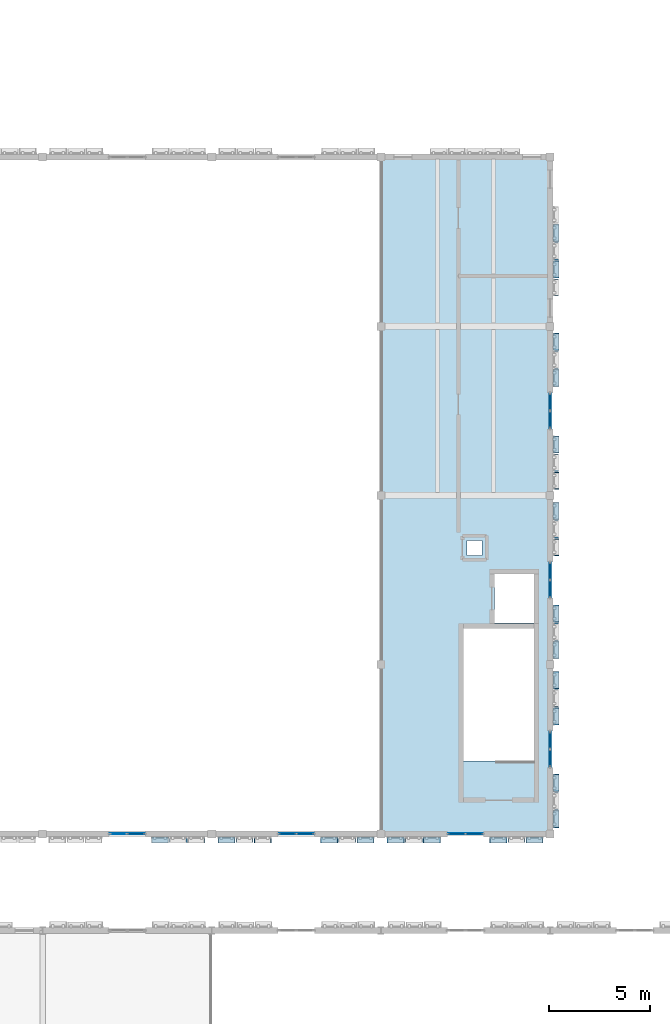
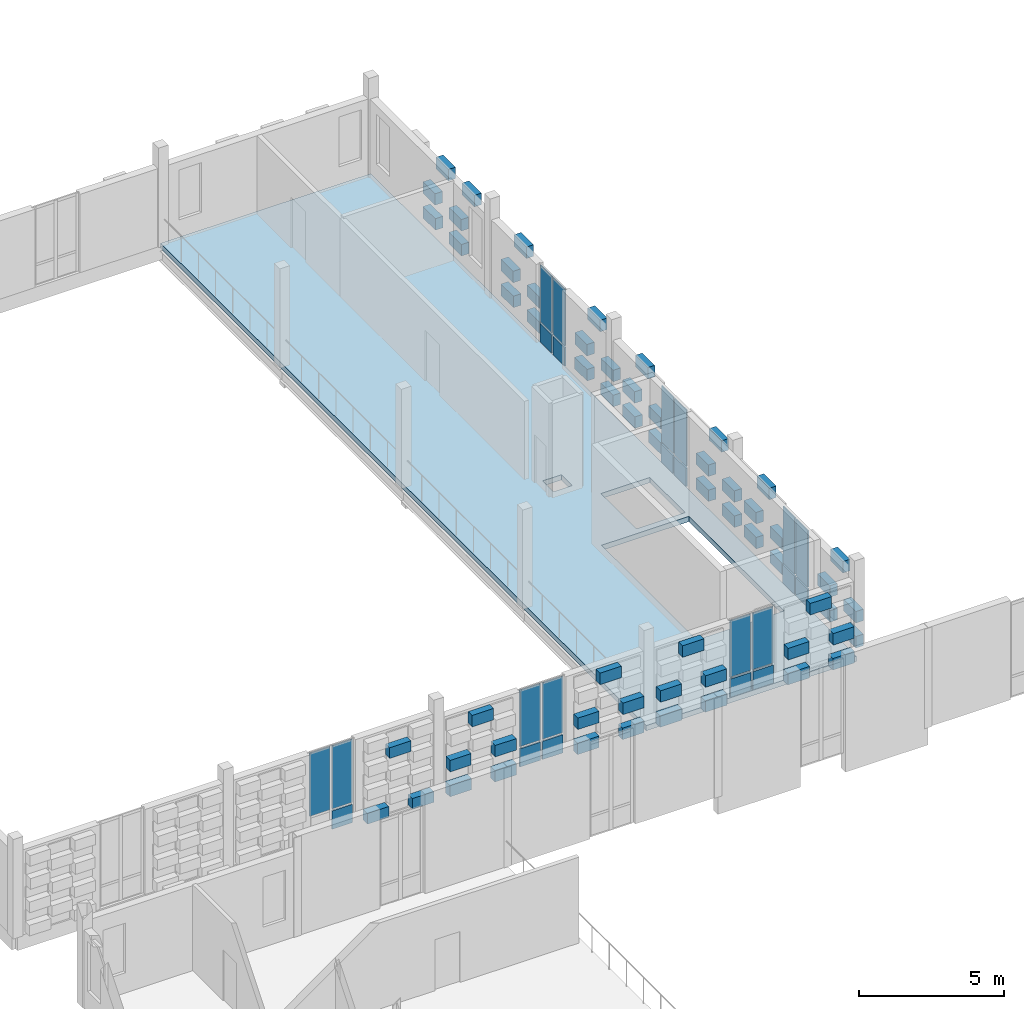
# One storey, part 34 of 81: 82 plates, 1 slab, 6 elements without a shape of their own.
"""IFC4 building model written with IfcOpenShell, lengths in metres."""

from ifc_helpers import new_model, si_unit, direction, frame, origin, origin_2d, place, context, subcontext, project, spatial, polyline, rectangle, outline, extrude, material, layer, layer_set, type_object, element, aggregate, save


model = new_model("IFC4")

# Units and contexts
model_context = context("Model", 3, precision=1e-05, world=origin(), true_north=direction((0.0, 1.0)))
body_context = subcontext(model_context, "Body", "Model", "MODEL_VIEW")
ifc_project = project(units=[si_unit("LENGTHUNIT", "METRE"), si_unit("AREAUNIT", "SQUARE_METRE"), si_unit("VOLUMEUNIT", "CUBIC_METRE"), si_unit("PLANEANGLEUNIT", "RADIAN"), si_unit("MASSUNIT", "GRAM", prefix="KILO")], contexts=[model_context])

# Site, building, storey
site_placement = place(None, origin())
site = spatial("IfcSite", under=ifc_project, at=site_placement, CompositionType="ELEMENT")
building_placement = place(site_placement, origin())
building = spatial("IfcBuilding", under=site, at=building_placement, Name="Kahlenmark Community Centre", CompositionType="ELEMENT")
storey_placement = place(building_placement, frame((0.0, 0.0, 9.60009765625)))
storey = spatial("IfcBuildingStorey", under=building, at=storey_placement, Name="L02", CompositionType="ELEMENT", Elevation=9.60009765625)

# Curtain wall, plates
ifc_material_1 = material(Name="Anodised aluminium unitised curtain wall", Category="aluminium")
curtain_wall_type_1 = type_object("IfcCurtainWallType", Name="CWT-UNIT-180X331", PredefinedType="USERDEFINED", material=ifc_material_1)
curtain_wall_1_placement = place(storey_placement, origin())
curtain_wall_1 = element("IfcCurtainWall", 1, at=curtain_wall_1_placement, inside=storey, type_object=curtain_wall_type_1, Name="Unitised curtain wall CW-072", ObjectType="UNITISED CURTAIN WALL", PredefinedType="USERDEFINED")
ifc_material_2 = material(Name="Triple low-e solar-control glass unit", Category="glass")
ifc_layer_1 = layer(ifc_material_2, 0.0439453125)
ifc_layer_set_1 = layer_set([ifc_layer_1], Name="Triple low-e solar-control glass unit")
plate_type_1 = type_object("IfcPlateType", Name="PLT-CW-GLZ-820X2380", PredefinedType="CURTAIN_PANEL", material=ifc_layer_set_1)
plate_1_placement = place(storey_placement, frame((24.550048828125, 42.39990234375, 0.889892578125), z_axis=(0.0, 0.0, 1.0), x_axis=(1.0, 0.0, 0.0)))
plate_1 = element("IfcPlate", 2, at=plate_1_placement, type_object=plate_type_1, Name="CW-072 glazed panel 1", PredefinedType="CURTAIN_PANEL", context=body_context, shape_type="SweptSolid", body=[
    extrude(rectangle(XDim=0.820068359375, YDim=0.0439453125, at=origin_2d()), origin(), (0.0, 0.0, 1.0), 2.3798828125),
])
plate_2_placement = place(storey_placement, frame((25.449951171875, 42.39990234375, 0.889892578125), z_axis=(0.0, 0.0, 1.0), x_axis=(1.0, 0.0, 0.0)))
plate_2 = element("IfcPlate", 3, at=plate_2_placement, type_object=plate_type_1, Name="CW-072 glazed panel 2", PredefinedType="CURTAIN_PANEL", context=body_context, shape_type="SweptSolid", body=[
    extrude(rectangle(XDim=0.820068359375, YDim=0.0439453125, at=origin_2d()), origin(), (0.0, 0.0, 1.0), 2.3798828125),
])

curtain_wall_2_placement = place(storey_placement, origin())
curtain_wall_2 = element("IfcCurtainWall", 4, at=curtain_wall_2_placement, inside=storey, type_object=curtain_wall_type_1, Name="Unitised curtain wall CW-073", ObjectType="UNITISED CURTAIN WALL", PredefinedType="USERDEFINED")
plate_3_placement = place(storey_placement, frame((32.949951171875, 42.39990234375, 0.889892578125), z_axis=(0.0, 0.0, 1.0), x_axis=(1.0, 0.0, 0.0)))
plate_3 = element("IfcPlate", 5, at=plate_3_placement, type_object=plate_type_1, Name="CW-073 glazed panel 1", PredefinedType="CURTAIN_PANEL", context=body_context, shape_type="SweptSolid", body=[
    extrude(rectangle(XDim=0.820068359375, YDim=0.0439453125, at=origin_2d()), origin(), (0.0, 0.0, 1.0), 2.3798828125),
])
plate_4_placement = place(storey_placement, frame((33.85009765625, 42.39990234375, 0.889892578125), z_axis=(0.0, 0.0, 1.0), x_axis=(1.0, 0.0, 0.0)))
plate_4 = element("IfcPlate", 6, at=plate_4_placement, type_object=plate_type_1, Name="CW-073 glazed panel 2", PredefinedType="CURTAIN_PANEL", context=body_context, shape_type="SweptSolid", body=[
    extrude(rectangle(XDim=0.820068359375, YDim=0.0439453125, at=origin_2d()), origin(), (0.0, 0.0, 1.0), 2.3798828125),
])

curtain_wall_3_placement = place(storey_placement, origin())
curtain_wall_3 = element("IfcCurtainWall", 7, at=curtain_wall_3_placement, inside=storey, type_object=curtain_wall_type_1, Name="Unitised curtain wall CW-077", ObjectType="UNITISED CURTAIN WALL", PredefinedType="USERDEFINED")
plate_5_placement = place(storey_placement, frame((37.60009765625, 46.14990234375, 0.889892578125), z_axis=(0.0, 0.0, 1.0), x_axis=(0.0, 1.0, 0.0)))
plate_5 = element("IfcPlate", 8, at=plate_5_placement, type_object=plate_type_1, Name="CW-077 glazed panel 1", PredefinedType="CURTAIN_PANEL", context=body_context, shape_type="SweptSolid", body=[
    extrude(rectangle(XDim=0.820068359375, YDim=0.0439453125, at=origin_2d()), origin(), (0.0, 0.0, 1.0), 2.3798828125),
])
plate_6_placement = place(storey_placement, frame((37.60009765625, 47.050048828125, 0.889892578125), z_axis=(0.0, 0.0, 1.0), x_axis=(0.0, 1.0, 0.0)))
plate_6 = element("IfcPlate", 9, at=plate_6_placement, type_object=plate_type_1, Name="CW-077 glazed panel 2", PredefinedType="CURTAIN_PANEL", context=body_context, shape_type="SweptSolid", body=[
    extrude(rectangle(XDim=0.820068359375, YDim=0.0439453125, at=origin_2d()), origin(), (0.0, 0.0, 1.0), 2.3798828125),
])

curtain_wall_4_placement = place(storey_placement, origin())
curtain_wall_4 = element("IfcCurtainWall", 10, at=curtain_wall_4_placement, inside=storey, type_object=curtain_wall_type_1, Name="Unitised curtain wall CW-078", ObjectType="UNITISED CURTAIN WALL", PredefinedType="USERDEFINED")
plate_7_placement = place(storey_placement, frame((37.60009765625, 54.550048828125, 0.889892578125), z_axis=(0.0, 0.0, 1.0), x_axis=(0.0, 1.0, 0.0)))
plate_7 = element("IfcPlate", 11, at=plate_7_placement, type_object=plate_type_1, Name="CW-078 glazed panel 1", PredefinedType="CURTAIN_PANEL", context=body_context, shape_type="SweptSolid", body=[
    extrude(rectangle(XDim=0.820068359375, YDim=0.0439453125, at=origin_2d()), origin(), (0.0, 0.0, 1.0), 2.3798828125),
])
plate_8_placement = place(storey_placement, frame((37.60009765625, 55.449951171875, 0.889892578125), z_axis=(0.0, 0.0, 1.0), x_axis=(0.0, 1.0, 0.0)))
plate_8 = element("IfcPlate", 12, at=plate_8_placement, type_object=plate_type_1, Name="CW-078 glazed panel 2", PredefinedType="CURTAIN_PANEL", context=body_context, shape_type="SweptSolid", body=[
    extrude(rectangle(XDim=0.820068359375, YDim=0.0439453125, at=origin_2d()), origin(), (0.0, 0.0, 1.0), 2.3798828125),
])

curtain_wall_5_placement = place(storey_placement, origin())
curtain_wall_5 = element("IfcCurtainWall", 13, at=curtain_wall_5_placement, inside=storey, type_object=curtain_wall_type_1, Name="Unitised curtain wall CW-079", ObjectType="UNITISED CURTAIN WALL", PredefinedType="USERDEFINED")
plate_9_placement = place(storey_placement, frame((37.60009765625, 62.949951171875, 0.889892578125), z_axis=(0.0, 0.0, 1.0), x_axis=(0.0, 1.0, 0.0)))
plate_9 = element("IfcPlate", 14, at=plate_9_placement, type_object=plate_type_1, Name="CW-079 glazed panel 1", PredefinedType="CURTAIN_PANEL", context=body_context, shape_type="SweptSolid", body=[
    extrude(rectangle(XDim=0.820068359375, YDim=0.0439453125, at=origin_2d()), origin(), (0.0, 0.0, 1.0), 2.3798828125),
])
plate_10_placement = place(storey_placement, frame((37.60009765625, 63.85009765625, 0.889892578125), z_axis=(0.0, 0.0, 1.0), x_axis=(0.0, 1.0, 0.0)))
plate_10 = element("IfcPlate", 15, at=plate_10_placement, type_object=plate_type_1, Name="CW-079 glazed panel 2", PredefinedType="CURTAIN_PANEL", context=body_context, shape_type="SweptSolid", body=[
    extrude(rectangle(XDim=0.820068359375, YDim=0.0439453125, at=origin_2d()), origin(), (0.0, 0.0, 1.0), 2.3798828125),
])

curtain_wall_type_2 = type_object("IfcCurtainWallType", Name="CWT-UNIT-180X359", PredefinedType="USERDEFINED", material=ifc_material_1)
curtain_wall_6_placement = place(storey_placement, origin())
curtain_wall_6 = element("IfcCurtainWall", 16, at=curtain_wall_6_placement, inside=storey, type_object=curtain_wall_type_2, Name="Unitised curtain wall CW-071", ObjectType="UNITISED CURTAIN WALL", PredefinedType="USERDEFINED")
ifc_layer_2 = layer(ifc_material_2, 0.0439453125)
ifc_layer_set_2 = layer_set([ifc_layer_2], Name="Triple low-e solar-control glass unit")
plate_type_2 = type_object("IfcPlateType", Name="PLT-CW-GLZ-820X2660", PredefinedType="CURTAIN_PANEL", material=ifc_layer_set_2)
plate_11_placement = place(storey_placement, frame((16.14990234375, 42.39990234375, 0.89013671875), z_axis=(0.0, 0.0, 1.0), x_axis=(1.0, 0.0, 0.0)))
plate_11 = element("IfcPlate", 17, at=plate_11_placement, type_object=plate_type_2, Name="CW-071 glazed panel 1", PredefinedType="CURTAIN_PANEL", context=body_context, shape_type="SweptSolid", body=[
    extrude(rectangle(XDim=0.820068359375, YDim=0.0439453125, at=origin_2d()), origin(), (0.0, 0.0, 1.0), 2.659912109375),
])
plate_12_placement = place(storey_placement, frame((17.050048828125, 42.39990234375, 0.89013671875), z_axis=(0.0, 0.0, 1.0), x_axis=(1.0, 0.0, 0.0)))
plate_12 = element("IfcPlate", 18, at=plate_12_placement, type_object=plate_type_2, Name="CW-071 glazed panel 2", PredefinedType="CURTAIN_PANEL", context=body_context, shape_type="SweptSolid", body=[
    extrude(rectangle(XDim=0.820068359375, YDim=0.0439453125, at=origin_2d()), origin(), (0.0, 0.0, 1.0), 2.659912109375),
])
ifc_material_3 = material(Name="Warm terracotta insulated spandrel cassette", Category="masonry")
ifc_layer_3 = layer(ifc_material_3, 0.06005859375)
ifc_layer_set_3 = layer_set([ifc_layer_3], Name="Warm terracotta insulated spandrel cassette")
plate_type_3 = type_object("IfcPlateType", Name="PLT-CW-SPD-820X770", PredefinedType="CURTAIN_PANEL", material=ifc_layer_set_3)
plate_13_placement = place(storey_placement, frame((17.050048828125, 42.39990234375, 0.039794921875), z_axis=(0.0, 0.0, 1.0), x_axis=(1.0, 0.0, 0.0)))
plate_13 = element("IfcPlate", 19, at=plate_13_placement, type_object=plate_type_3, Name="CW-071 spandrel 2", PredefinedType="CURTAIN_PANEL", context=body_context, shape_type="SweptSolid", body=[
    extrude(rectangle(XDim=0.820068359375, YDim=0.06005859375, at=origin_2d()), origin(), (0.0, 0.0, 1.0), 0.77001953125),
])
aggregate(curtain_wall_6, [plate_11, plate_13, plate_12])

# Plate
plate_14_placement = place(storey_placement, frame((24.550048828125, 42.39990234375, 0.039794921875), z_axis=(0.0, 0.0, 1.0), x_axis=(1.0, 0.0, 0.0)))
plate_14 = element("IfcPlate", 20, at=plate_14_placement, type_object=plate_type_3, Name="CW-072 spandrel 1", PredefinedType="CURTAIN_PANEL", context=body_context, shape_type="SweptSolid", body=[
    extrude(rectangle(XDim=0.820068359375, YDim=0.06005859375, at=origin_2d()), origin(), (0.0, 0.0, 1.0), 0.77001953125),
])

plate_15_placement = place(storey_placement, frame((25.449951171875, 42.39990234375, 0.039794921875), z_axis=(0.0, 0.0, 1.0), x_axis=(1.0, 0.0, 0.0)))
plate_15 = element("IfcPlate", 21, at=plate_15_placement, type_object=plate_type_3, Name="CW-072 spandrel 2", PredefinedType="CURTAIN_PANEL", context=body_context, shape_type="SweptSolid", body=[
    extrude(rectangle(XDim=0.820068359375, YDim=0.06005859375, at=origin_2d()), origin(), (0.0, 0.0, 1.0), 0.77001953125),
])

aggregate(curtain_wall_1, [plate_14, plate_1, plate_15, plate_2])

plate_16_placement = place(storey_placement, frame((32.949951171875, 42.39990234375, 0.039794921875), z_axis=(0.0, 0.0, 1.0), x_axis=(1.0, 0.0, 0.0)))
plate_16 = element("IfcPlate", 22, at=plate_16_placement, type_object=plate_type_3, Name="CW-073 spandrel 1", PredefinedType="CURTAIN_PANEL", context=body_context, shape_type="SweptSolid", body=[
    extrude(rectangle(XDim=0.820068359375, YDim=0.06005859375, at=origin_2d()), origin(), (0.0, 0.0, 1.0), 0.77001953125),
])

plate_17_placement = place(storey_placement, frame((33.85009765625, 42.39990234375, 0.039794921875), z_axis=(0.0, 0.0, 1.0), x_axis=(1.0, 0.0, 0.0)))
plate_17 = element("IfcPlate", 23, at=plate_17_placement, type_object=plate_type_3, Name="CW-073 spandrel 2", PredefinedType="CURTAIN_PANEL", context=body_context, shape_type="SweptSolid", body=[
    extrude(rectangle(XDim=0.820068359375, YDim=0.06005859375, at=origin_2d()), origin(), (0.0, 0.0, 1.0), 0.77001953125),
])

aggregate(curtain_wall_2, [plate_16, plate_3, plate_17, plate_4])

plate_18_placement = place(storey_placement, frame((37.60009765625, 46.14990234375, 0.039794921875), z_axis=(0.0, 0.0, 1.0), x_axis=(0.0, 1.0, 0.0)))
plate_18 = element("IfcPlate", 24, at=plate_18_placement, type_object=plate_type_3, Name="CW-077 spandrel 1", PredefinedType="CURTAIN_PANEL", context=body_context, shape_type="SweptSolid", body=[
    extrude(rectangle(XDim=0.820068359375, YDim=0.06005859375, at=origin_2d()), origin(), (0.0, 0.0, 1.0), 0.77001953125),
])

plate_19_placement = place(storey_placement, frame((37.60009765625, 47.050048828125, 0.039794921875), z_axis=(0.0, 0.0, 1.0), x_axis=(0.0, 1.0, 0.0)))
plate_19 = element("IfcPlate", 25, at=plate_19_placement, type_object=plate_type_3, Name="CW-077 spandrel 2", PredefinedType="CURTAIN_PANEL", context=body_context, shape_type="SweptSolid", body=[
    extrude(rectangle(XDim=0.820068359375, YDim=0.06005859375, at=origin_2d()), origin(), (0.0, 0.0, 1.0), 0.77001953125),
])

aggregate(curtain_wall_3, [plate_18, plate_5, plate_19, plate_6])

plate_20_placement = place(storey_placement, frame((37.60009765625, 54.550048828125, 0.039794921875), z_axis=(0.0, 0.0, 1.0), x_axis=(0.0, 1.0, 0.0)))
plate_20 = element("IfcPlate", 26, at=plate_20_placement, type_object=plate_type_3, Name="CW-078 spandrel 1", PredefinedType="CURTAIN_PANEL", context=body_context, shape_type="SweptSolid", body=[
    extrude(rectangle(XDim=0.820068359375, YDim=0.06005859375, at=origin_2d()), origin(), (0.0, 0.0, 1.0), 0.77001953125),
])

plate_21_placement = place(storey_placement, frame((37.60009765625, 55.449951171875, 0.039794921875), z_axis=(0.0, 0.0, 1.0), x_axis=(0.0, 1.0, 0.0)))
plate_21 = element("IfcPlate", 27, at=plate_21_placement, type_object=plate_type_3, Name="CW-078 spandrel 2", PredefinedType="CURTAIN_PANEL", context=body_context, shape_type="SweptSolid", body=[
    extrude(rectangle(XDim=0.820068359375, YDim=0.06005859375, at=origin_2d()), origin(), (0.0, 0.0, 1.0), 0.77001953125),
])

aggregate(curtain_wall_4, [plate_20, plate_7, plate_21, plate_8])

plate_22_placement = place(storey_placement, frame((37.60009765625, 62.949951171875, 0.039794921875), z_axis=(0.0, 0.0, 1.0), x_axis=(0.0, 1.0, 0.0)))
plate_22 = element("IfcPlate", 28, at=plate_22_placement, type_object=plate_type_3, Name="CW-079 spandrel 1", PredefinedType="CURTAIN_PANEL", context=body_context, shape_type="SweptSolid", body=[
    extrude(rectangle(XDim=0.820068359375, YDim=0.06005859375, at=origin_2d()), origin(), (0.0, 0.0, 1.0), 0.77001953125),
])

plate_23_placement = place(storey_placement, frame((37.60009765625, 63.85009765625, 0.039794921875), z_axis=(0.0, 0.0, 1.0), x_axis=(0.0, 1.0, 0.0)))
plate_23 = element("IfcPlate", 29, at=plate_23_placement, type_object=plate_type_3, Name="CW-079 spandrel 2", PredefinedType="CURTAIN_PANEL", context=body_context, shape_type="SweptSolid", body=[
    extrude(rectangle(XDim=0.820068359375, YDim=0.06005859375, at=origin_2d()), origin(), (0.0, 0.0, 1.0), 0.77001953125),
])

aggregate(curtain_wall_5, [plate_22, plate_9, plate_23, plate_10])

# Plates
ifc_material_4 = material(Name="Extruded glazed terracotta weave cassette", Category="masonry")
ifc_layer_4 = layer(ifc_material_4, 0.300048828125)
ifc_layer_set_4 = layer_set([ifc_layer_4], Name="Extruded glazed terracotta weave cassette")
plate_type_4 = type_object("IfcPlateType", Name="PLT-TC-TC-R34-840X300X485", PredefinedType="SHEET", material=ifc_layer_set_4)
for number, where, z_axis, x_axis, name in (
    (30, (21.530029296875, 42.10009765625, 1.14990234375), (0.0, 0.0, 1.0), (1.0, 0.0, 0.0), "Basketweave terracotta cassette 2403"),
    (31, (23.330078125, 42.10009765625, 1.14990234375), (0.0, 0.0, 1.0), (1.0, 0.0, 0.0), "Basketweave terracotta cassette 2415"),
    (32, (26.6298828125, 42.10009765625, 1.14990234375), (0.0, 0.0, 1.0), (1.0, 0.0, 0.0), "Basketweave terracotta cassette 2421"),
    (33, (28.429931640625, 42.10009765625, 1.14990234375), (0.0, 0.0, 1.0), (1.0, 0.0, 0.0), "Basketweave terracotta cassette 2433"),
    (34, (29.929931640625, 42.10009765625, 1.14990234375), (0.0, 0.0, 1.0), (1.0, 0.0, 0.0), "Basketweave terracotta cassette 2439"),
    (35, (31.72998046875, 42.10009765625, 1.14990234375), (0.0, 0.0, 1.0), (1.0, 0.0, 0.0), "Basketweave terracotta cassette 2451"),
    (36, (35.030029296875, 42.10009765625, 1.14990234375), (0.0, 0.0, 1.0), (1.0, 0.0, 0.0), "Basketweave terracotta cassette 2457"),
    (37, (36.830078125, 42.10009765625, 1.14990234375), (0.0, 0.0, 1.0), (1.0, 0.0, 0.0), "Basketweave terracotta cassette 2469"),
    (38, (37.89990234375, 43.1298828125, 1.14990234375), (0.0, 0.0, 1.0), (0.0, 1.0, 0.0), "Basketweave terracotta cassette 2625"),
    (39, (37.89990234375, 44.929931640625, 1.14990234375), (0.0, 0.0, 1.0), (0.0, 1.0, 0.0), "Basketweave terracotta cassette 2637"),
    (40, (37.89990234375, 48.22998046875, 1.14990234375), (0.0, 0.0, 1.0), (0.0, 1.0, 0.0), "Basketweave terracotta cassette 2643"),
    (41, (37.89990234375, 50.030029296875, 1.14990234375), (0.0, 0.0, 1.0), (0.0, 1.0, 0.0), "Basketweave terracotta cassette 2655"),
    (42, (37.89990234375, 51.530029296875, 1.14990234375), (0.0, 0.0, 1.0), (0.0, 1.0, 0.0), "Basketweave terracotta cassette 2661"),
    (43, (37.89990234375, 53.330078125, 1.14990234375), (0.0, 0.0, 1.0), (0.0, 1.0, 0.0), "Basketweave terracotta cassette 2673"),
    (44, (37.89990234375, 56.6298828125, 1.14990234375), (0.0, 0.0, 1.0), (0.0, 1.0, 0.0), "Basketweave terracotta cassette 2679"),
    (45, (37.89990234375, 58.429931640625, 1.14990234375), (0.0, 0.0, 1.0), (0.0, 1.0, 0.0), "Basketweave terracotta cassette 2691"),
    (46, (37.89990234375, 59.929931640625, 1.14990234375), (0.0, 0.0, 1.0), (0.0, 1.0, 0.0), "Basketweave terracotta cassette 2697"),
    (47, (37.89990234375, 61.72998046875, 1.14990234375), (0.0, 0.0, 1.0), (0.0, 1.0, 0.0), "Basketweave terracotta cassette 2709"),
    (48, (37.89990234375, 65.030029296875, 1.14990234375), (0.0, 0.0, 1.0), (0.0, 1.0, 0.0), "Basketweave terracotta cassette 2715"),
    (49, (37.89990234375, 66.830078125, 1.14990234375), (0.0, 0.0, 1.0), (0.0, 1.0, 0.0), "Basketweave terracotta cassette 2727"),
    (50, (37.89990234375, 70.429931640625, 1.14990234375), (0.0, 0.0, 1.0), (0.0, 1.0, 0.0), "Basketweave terracotta cassette 2739"),
    (51, (37.89990234375, 72.22998046875, 1.14990234375), (0.0, 0.0, 1.0), (0.0, 1.0, 0.0), "Basketweave terracotta cassette 2751"),
):
    element("IfcPlate", number, at=place(storey_placement, frame(where, z_axis=z_axis, x_axis=x_axis)), inside=storey, type_object=plate_type_4, Name=name, PredefinedType="SHEET", context=body_context, shape_type="SweptSolid", body=[
        extrude(rectangle(XDim=0.840087890625, YDim=0.300048828125, at=origin_2d()), origin(), (0.0, 0.0, 1.0), 0.485107421875),
    ])
ifc_layer_5 = layer(ifc_material_4, 0.300048828125)
ifc_layer_set_5 = layer_set([ifc_layer_5], Name="Extruded glazed terracotta weave cassette")
plate_type_5 = type_object("IfcPlateType", Name="PLT-TC-TC-R34-860X300X450", PredefinedType="SHEET", material=ifc_layer_set_5)
for number, where, z_axis, x_axis, name in (
    (52, (18.22998046875, 42.10009765625, 0.10009765625), (0.0, 0.0, 1.0), (1.0, 0.0, 0.0), "Basketweave terracotta cassette 2380"),
    (53, (20.030029296875, 42.10009765625, 0.10009765625), (0.0, 0.0, 1.0), (1.0, 0.0, 0.0), "Basketweave terracotta cassette 2394"),
):
    element("IfcPlate", number, at=place(storey_placement, frame(where, z_axis=z_axis, x_axis=x_axis)), inside=storey, type_object=plate_type_5, Name=name, PredefinedType="SHEET", context=body_context, shape_type="SweptSolid", body=[
        extrude(rectangle(XDim=0.860107421875, YDim=0.300048828125, at=origin_2d()), origin(), (0.0, 0.0, 1.0), 0.449951171875),
    ])
ifc_layer_6 = layer(ifc_material_4, 0.300048828125)
ifc_layer_set_6 = layer_set([ifc_layer_6], Name="Extruded glazed terracotta weave cassette")
plate_type_6 = type_object("IfcPlateType", Name="PLT-TC-TC-R34-860X300X485", PredefinedType="SHEET", material=ifc_layer_set_6)
for number, where, z_axis, x_axis, name in (
    (54, (21.530029296875, 42.10009765625, 0.099609375), (0.0, 0.0, 1.0), (1.0, 0.0, 0.0), "Basketweave terracotta cassette 2401"),
    (55, (23.330078125, 42.10009765625, 0.099609375), (0.0, 0.0, 1.0), (1.0, 0.0, 0.0), "Basketweave terracotta cassette 2413"),
    (56, (26.6298828125, 42.10009765625, 0.099609375), (0.0, 0.0, 1.0), (1.0, 0.0, 0.0), "Basketweave terracotta cassette 2419"),
    (57, (28.429931640625, 42.10009765625, 0.099609375), (0.0, 0.0, 1.0), (1.0, 0.0, 0.0), "Basketweave terracotta cassette 2431"),
    (58, (29.929931640625, 42.10009765625, 0.099609375), (0.0, 0.0, 1.0), (1.0, 0.0, 0.0), "Basketweave terracotta cassette 2437"),
    (59, (31.72998046875, 42.10009765625, 0.099609375), (0.0, 0.0, 1.0), (1.0, 0.0, 0.0), "Basketweave terracotta cassette 2449"),
    (60, (35.030029296875, 42.10009765625, 0.099609375), (0.0, 0.0, 1.0), (1.0, 0.0, 0.0), "Basketweave terracotta cassette 2455"),
    (61, (36.830078125, 42.10009765625, 0.099609375), (0.0, 0.0, 1.0), (1.0, 0.0, 0.0), "Basketweave terracotta cassette 2467"),
    (62, (37.89990234375, 43.1298828125, 0.099609375), (0.0, 0.0, 1.0), (0.0, 1.0, 0.0), "Basketweave terracotta cassette 2623"),
    (63, (37.89990234375, 44.929931640625, 0.099609375), (0.0, 0.0, 1.0), (0.0, 1.0, 0.0), "Basketweave terracotta cassette 2635"),
    (64, (37.89990234375, 48.22998046875, 0.099609375), (0.0, 0.0, 1.0), (0.0, 1.0, 0.0), "Basketweave terracotta cassette 2641"),
    (65, (37.89990234375, 50.030029296875, 0.099609375), (0.0, 0.0, 1.0), (0.0, 1.0, 0.0), "Basketweave terracotta cassette 2653"),
    (66, (37.89990234375, 51.530029296875, 0.099609375), (0.0, 0.0, 1.0), (0.0, 1.0, 0.0), "Basketweave terracotta cassette 2659"),
    (67, (37.89990234375, 53.330078125, 0.099609375), (0.0, 0.0, 1.0), (0.0, 1.0, 0.0), "Basketweave terracotta cassette 2671"),
    (68, (37.89990234375, 56.6298828125, 0.099609375), (0.0, 0.0, 1.0), (0.0, 1.0, 0.0), "Basketweave terracotta cassette 2677"),
    (69, (37.89990234375, 58.429931640625, 0.099609375), (0.0, 0.0, 1.0), (0.0, 1.0, 0.0), "Basketweave terracotta cassette 2689"),
    (70, (37.89990234375, 59.929931640625, 0.099609375), (0.0, 0.0, 1.0), (0.0, 1.0, 0.0), "Basketweave terracotta cassette 2695"),
    (71, (37.89990234375, 61.72998046875, 0.099609375), (0.0, 0.0, 1.0), (0.0, 1.0, 0.0), "Basketweave terracotta cassette 2707"),
    (72, (37.89990234375, 65.030029296875, 0.099609375), (0.0, 0.0, 1.0), (0.0, 1.0, 0.0), "Basketweave terracotta cassette 2713"),
    (73, (37.89990234375, 66.830078125, 0.099609375), (0.0, 0.0, 1.0), (0.0, 1.0, 0.0), "Basketweave terracotta cassette 2725"),
    (74, (37.89990234375, 70.429931640625, 0.099609375), (0.0, 0.0, 1.0), (0.0, 1.0, 0.0), "Basketweave terracotta cassette 2737"),
    (75, (37.89990234375, 72.22998046875, 0.099609375), (0.0, 0.0, 1.0), (0.0, 1.0, 0.0), "Basketweave terracotta cassette 2749"),
):
    element("IfcPlate", number, at=place(storey_placement, frame(where, z_axis=z_axis, x_axis=x_axis)), inside=storey, type_object=plate_type_6, Name=name, PredefinedType="SHEET", context=body_context, shape_type="SweptSolid", body=[
        extrude(rectangle(XDim=0.860107421875, YDim=0.300048828125, at=origin_2d()), origin(), (0.0, 0.0, 1.0), 0.485107421875),
    ])
ifc_layer_7 = layer(ifc_material_4, 0.280029296875)
ifc_layer_set_7 = layer_set([ifc_layer_7], Name="Extruded glazed terracotta weave cassette")
plate_type_7 = type_object("IfcPlateType", Name="PLT-TC-TC-W30-860X280X450", PredefinedType="SHEET", material=ifc_layer_set_7)
plate_24_placement = place(storey_placement, frame((19.1298828125, 42.110107421875, 2.5498046875), z_axis=(0.0, 0.0, 1.0), x_axis=(1.0, 0.0, 0.0)))
element("IfcPlate", 76, at=plate_24_placement, inside=storey, type_object=plate_type_7, Name="Basketweave terracotta cassette 2392", PredefinedType="SHEET", context=body_context, shape_type="SweptSolid", body=[
    extrude(rectangle(XDim=0.860107421875, YDim=0.280029296875, at=origin_2d()), origin(), (0.0, 0.0, 1.0), 0.449951171875),
])
ifc_layer_8 = layer(ifc_material_4, 0.280029296875)
ifc_layer_set_8 = layer_set([ifc_layer_8], Name="Extruded glazed terracotta weave cassette")
plate_type_8 = type_object("IfcPlateType", Name="PLT-TC-TC-W30-860X280X485", PredefinedType="SHEET", material=ifc_layer_set_8)
for number, where, z_axis, x_axis, name in (
    (77, (22.429931640625, 42.110107421875, 2.724609375), (0.0, 0.0, 1.0), (1.0, 0.0, 0.0), "Basketweave terracotta cassette 2412"),
    (78, (27.530029296875, 42.110107421875, 2.724609375), (0.0, 0.0, 1.0), (1.0, 0.0, 0.0), "Basketweave terracotta cassette 2430"),
    (79, (30.830078125, 42.110107421875, 2.724609375), (0.0, 0.0, 1.0), (1.0, 0.0, 0.0), "Basketweave terracotta cassette 2448"),
    (80, (35.929931640625, 42.110107421875, 2.724609375), (0.0, 0.0, 1.0), (1.0, 0.0, 0.0), "Basketweave terracotta cassette 2466"),
    (81, (37.889892578125, 44.030029296875, 2.724609375), (0.0, 0.0, 1.0), (0.0, 1.0, 0.0), "Basketweave terracotta cassette 2634"),
    (82, (37.889892578125, 49.1298828125, 2.724609375), (0.0, 0.0, 1.0), (0.0, 1.0, 0.0), "Basketweave terracotta cassette 2652"),
    (83, (37.889892578125, 52.429931640625, 2.724609375), (0.0, 0.0, 1.0), (0.0, 1.0, 0.0), "Basketweave terracotta cassette 2670"),
    (84, (37.889892578125, 57.530029296875, 2.724609375), (0.0, 0.0, 1.0), (0.0, 1.0, 0.0), "Basketweave terracotta cassette 2688"),
    (85, (37.889892578125, 60.830078125, 2.724609375), (0.0, 0.0, 1.0), (0.0, 1.0, 0.0), "Basketweave terracotta cassette 2706"),
    (86, (37.889892578125, 65.929931640625, 2.724609375), (0.0, 0.0, 1.0), (0.0, 1.0, 0.0), "Basketweave terracotta cassette 2724"),
    (87, (37.889892578125, 69.530029296875, 2.724609375), (0.0, 0.0, 1.0), (0.0, 1.0, 0.0), "Basketweave terracotta cassette 2736"),
    (88, (37.889892578125, 71.330078125, 2.724609375), (0.0, 0.0, 1.0), (0.0, 1.0, 0.0), "Basketweave terracotta cassette 2748"),
):
    element("IfcPlate", number, at=place(storey_placement, frame(where, z_axis=z_axis, x_axis=x_axis)), inside=storey, type_object=plate_type_8, Name=name, PredefinedType="SHEET", context=body_context, shape_type="SweptSolid", body=[
        extrude(rectangle(XDim=0.860107421875, YDim=0.280029296875, at=origin_2d()), origin(), (0.0, 0.0, 1.0), 0.485107421875),
    ])

# Slab
ifc_material_5 = material(Name="Cross-laminated timber CLT C24", Category="wood")
ifc_layer_9 = layer(ifc_material_5, 0.219970703125)
ifc_layer_set_9 = layer_set([ifc_layer_9], Name="Cross-laminated timber CLT C24")
slab_type = type_object("IfcSlabType", Name="ST-FL-CLT220", PredefinedType="FLOOR", material=ifc_layer_set_9)
slab_placement = place(storey_placement, frame((0.0, 0.0, -0.22021484375)))
element("IfcSlab", 89, at=slab_placement, inside=storey, type_object=slab_type, Name="L02 suspended floor slab V2", PredefinedType="FLOOR", context=body_context, shape_type="SweptSolid", body=[
    extrude(outline(polyline([(29.199951171875, 42.39990234375), (37.60009765625, 42.39990234375), (37.60009765625, 76.0), (29.199951171875, 76.0), (29.199951171875, 42.39990234375)]), holes=[polyline([(33.305908203125, 46.006103515625), (36.7939453125, 46.006103515625), (36.7939453125, 52.593994140625), (33.305908203125, 52.593994140625), (33.305908203125, 46.006103515625)]), polyline([(34.845947265625, 52.85595703125), (36.7939453125, 52.85595703125), (36.7939453125, 55.303955078125), (34.845947265625, 55.303955078125), (34.845947265625, 52.85595703125)]), polyline([(33.47607421875, 56.22607421875), (34.22412109375, 56.22607421875), (34.22412109375, 56.97412109375), (33.47607421875, 56.97412109375), (33.47607421875, 56.22607421875)])]), origin(), (0.0, 0.0, 1.0), 0.22021484375),
])

save(model, "model.ifc")
